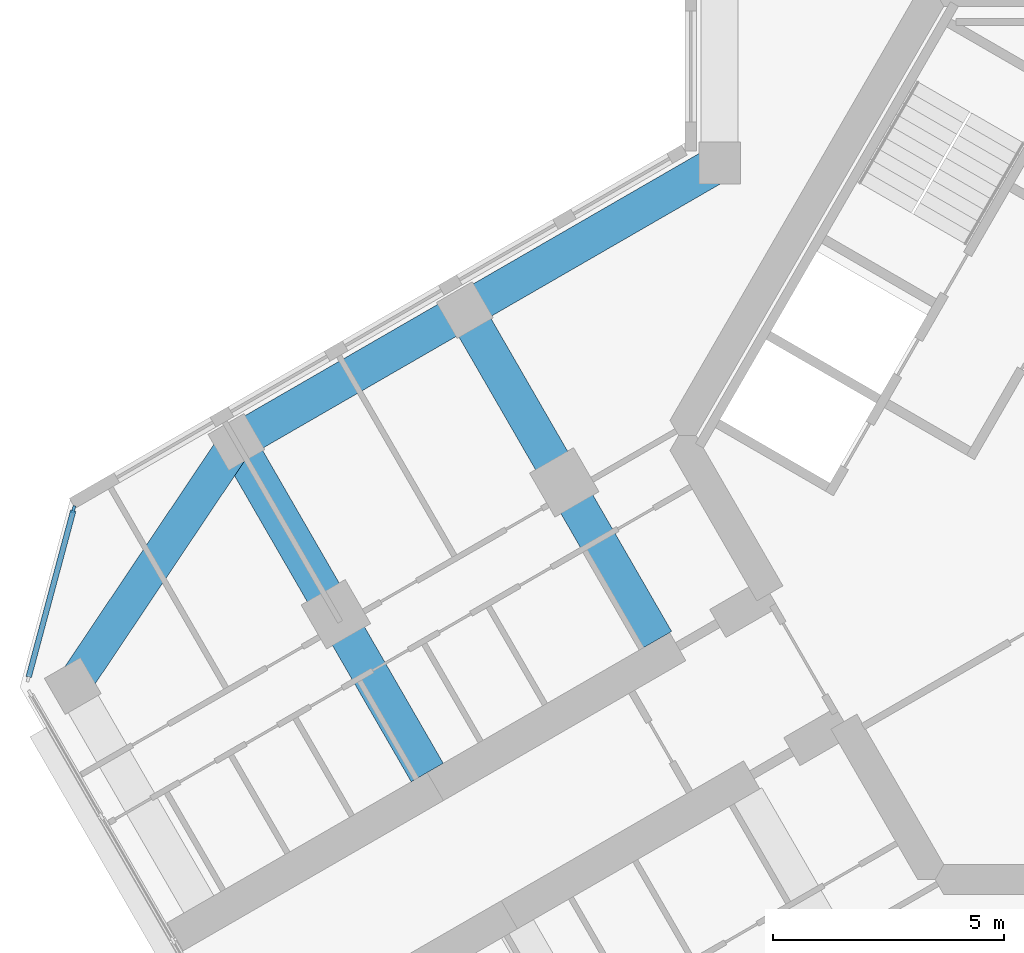
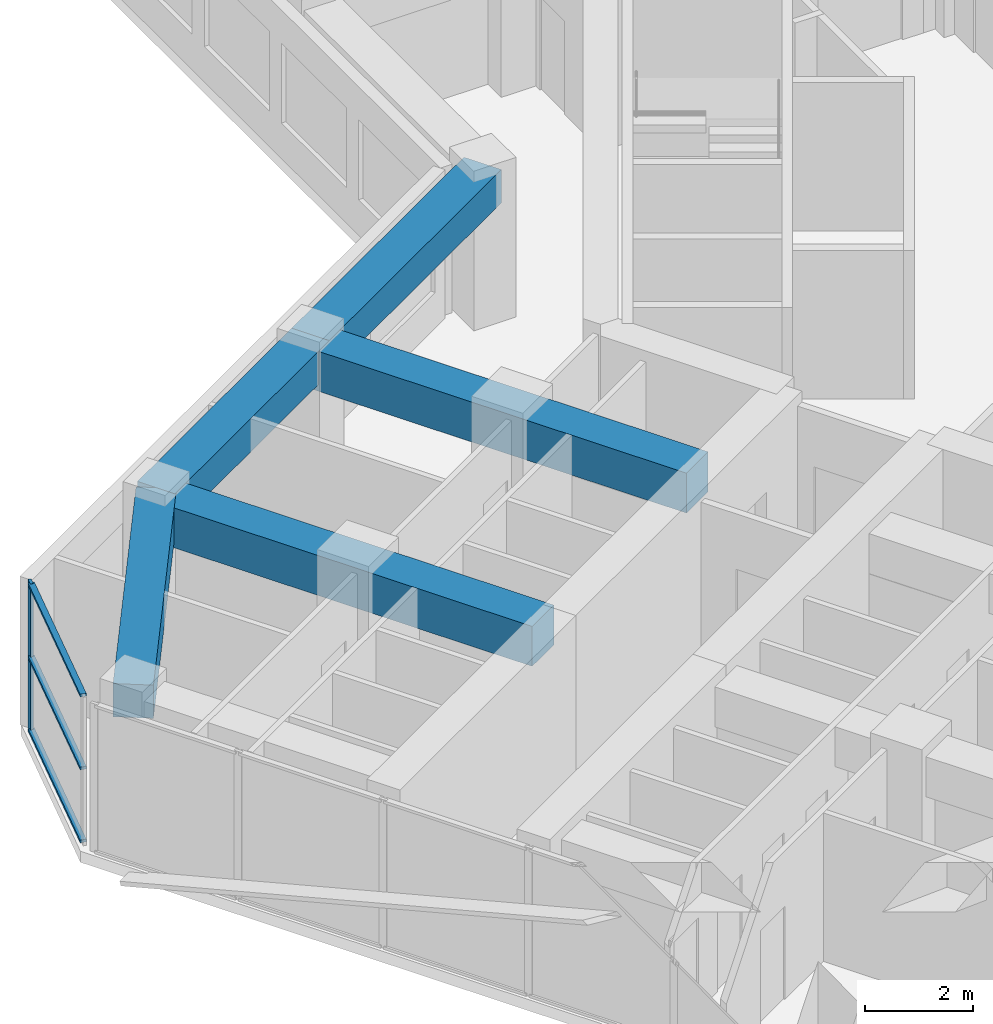
# One storey, part 3 of 16: 5 beams, 4 members, 1 element without a shape of its own.
"""IFC4 building model written with IfcOpenShell, lengths in metres."""

from ifc_helpers import new_model, si_unit, direction, frame, origin, origin_2d, place, context, subcontext, project, spatial, rectangle, extrude, material, material_profile, profile_set, type_object, element, aggregate, save


model = new_model("IFC4")

# Units and contexts
model_context = context("Model", 3, precision=1e-05, world=origin(), true_north=direction((0.0, 1.0)))
body_context = subcontext(model_context, "Body", "Model", "MODEL_VIEW")
ifc_project = project(units=[si_unit("LENGTHUNIT", "METRE"), si_unit("AREAUNIT", "SQUARE_METRE"), si_unit("VOLUMEUNIT", "CUBIC_METRE"), si_unit("PLANEANGLEUNIT", "RADIAN"), si_unit("MASSUNIT", "GRAM", prefix="KILO")], contexts=[model_context])

# Site, building, storey
site_placement = place(None, origin())
site = spatial("IfcSite", under=ifc_project, at=site_placement, CompositionType="ELEMENT")
building_placement = place(site_placement, origin())
building = spatial("IfcBuilding", under=site, at=building_placement, Name="Kosmar Iwan School Tower", CompositionType="ELEMENT")
storey_placement = place(building_placement, frame((0.0, 0.0, 222.60009765625)))
storey = spatial("IfcBuildingStorey", under=building, at=storey_placement, Name="L56", CompositionType="ELEMENT", Elevation=222.60009765625)

# Curtain wall, member
ifc_material_1 = material(Name="Dark glass in black aluminium frame", Category="aluminium")
curtain_wall_type = type_object("IfcCurtainWallType", Name="Chamfer curtain wall dark glass", PredefinedType="USERDEFINED", material=ifc_material_1)
curtain_wall_placement = place(storey_placement, origin())
curtain_wall = element("IfcCurtainWall", 1, at=curtain_wall_placement, inside=storey, type_object=curtain_wall_type, Name="Curtain wall L56-F10", ObjectType="FACETED CURTAIN WALL", PredefinedType="USERDEFINED")
ifc_material_2 = material(Name="Black anodised aluminium", Category="aluminium")
ifc_material_profile_1 = material_profile(ifc_material_2, rectangle(XDim=0.06005859375, YDim=0.159912109375, at=origin_2d()), Name="MULLION 60x160")
ifc_profile_set_1 = profile_set([ifc_material_profile_1], Name="Black anodised aluminium")
member_type_1 = type_object("IfcMemberType", Name="Mullion 60x160", PredefinedType="MULLION", material=ifc_profile_set_1)
member_1_placement = place(storey_placement, frame((-24.163818359375, -1.59814453125, 0.0), z_axis=(0.0, 0.0, 1.0), x_axis=(0.965925875495, -0.258818861462, 0.0)))
member_1 = element("IfcMember", 2, at=member_1_placement, type_object=member_type_1, Name="CW2 mullion 1", PredefinedType="MULLION", context=body_context, shape_type="SweptSolid", body=[
    extrude(rectangle(XDim=0.06005859375, YDim=0.159912109375, at=origin_2d()), origin(), (0.0, 0.0, 1.0), 3.349853515625),
])

# Beams
ifc_material_3 = material(Name="Concrete C50/60", Category="concrete")
ifc_material_profile_2 = material_profile(ifc_material_3, rectangle(XDim=0.800048828125, YDim=0.75, at=origin_2d()), Name="RC 800x750")
ifc_profile_set_2 = profile_set([ifc_material_profile_2], Name="Concrete C50/60")
beam_type_1 = type_object("IfcBeamType", Name="RC edge beam 800x750", PredefinedType="BEAM", material=ifc_profile_set_2)
beam_1_placement = place(storey_placement, frame((-10.199951171875, 5.888916015625, 2.974853515625), z_axis=(-0.866030912664, -0.49999045822, 0.0), x_axis=(0.49999045822, -0.866030912664, 0.0)))
element("IfcBeam", 3, at=beam_1_placement, inside=storey, type_object=beam_type_1, Name="Edge beam BR1", PredefinedType="BEAM", context=body_context, shape_type="SweptSolid", body=[
    extrude(rectangle(XDim=0.800048828125, YDim=0.75, at=origin_2d()), origin(), (0.0, 0.0, 1.0), 6.36083984375),
])
beam_2_placement = place(storey_placement, frame((-15.708740234375, 2.70849609375, 2.974853515625), z_axis=(-0.866025820012, -0.499999279071, 0.0), x_axis=(0.499999279071, -0.866025820012, 0.0)))
element("IfcBeam", 4, at=beam_2_placement, inside=storey, type_object=beam_type_1, Name="Edge beam BR2", PredefinedType="BEAM", context=body_context, shape_type="SweptSolid", body=[
    extrude(rectangle(XDim=0.800048828125, YDim=0.75, at=origin_2d()), origin(), (0.0, 0.0, 1.0), 5.7001953125),
])
ifc_material_4 = material(Name="Concrete C50/60", Category="concrete")
ifc_material_profile_3 = material_profile(ifc_material_4, rectangle(XDim=0.75, YDim=0.75, at=origin_2d()), Name="RC 750x750")
ifc_profile_set_3 = profile_set([ifc_material_profile_3], Name="Concrete C50/60")
beam_type_2 = type_object("IfcBeamType", Name="RC tip beam 750x750", PredefinedType="BEAM", material=ifc_profile_set_3)
beam_3_placement = place(storey_placement, frame((-20.645263671875, -0.1416015625, 2.974853515625), z_axis=(-0.556827604145, -0.83062808721, 0.0), x_axis=(0.83062808721, -0.556827604145, 0.0)))
element("IfcBeam", 5, at=beam_3_placement, inside=storey, type_object=beam_type_2, Name="Tip beam BR", PredefinedType="BEAM", context=body_context, shape_type="SweptSolid", body=[
    extrude(rectangle(XDim=0.75, YDim=0.75, at=origin_2d()), origin(), (0.0, 0.0, 1.0), 6.3505859375),
])
ifc_material_5 = material(Name="Concrete C50/60", Category="concrete")
ifc_material_profile_4 = material_profile(ifc_material_5, rectangle(XDim=0.800048828125, YDim=0.89990234375, at=origin_2d()), Name="RC 800x900")
ifc_profile_set_4 = profile_set([ifc_material_profile_4], Name="Concrete C50/60")
beam_type_3 = type_object("IfcBeamType", Name="RC transverse beam 800x900", PredefinedType="BEAM", material=ifc_profile_set_4)
beam_4_placement = place(storey_placement, frame((-15.708740234375, 2.70849609375, 2.89990234375), z_axis=(0.499996545922, -0.866027397988, 0.0), x_axis=(0.866027397988, 0.499996545922, 0.0)))
element("IfcBeam", 6, at=beam_4_placement, inside=storey, type_object=beam_type_3, Name="Transverse beam BR1", PredefinedType="BEAM", context=body_context, shape_type="SweptSolid", body=[
    extrude(rectangle(XDim=0.800048828125, YDim=0.89990234375, at=origin_2d()), origin(), (0.0, 0.0, 1.0), 8.25),
])
beam_5_placement = place(storey_placement, frame((-20.645263671875, -0.1416015625, 2.89990234375), z_axis=(0.500009360108, -0.866019999656, 0.0), x_axis=(0.866019999656, 0.500009360108, 0.0)))
element("IfcBeam", 7, at=beam_5_placement, inside=storey, type_object=beam_type_3, Name="Transverse beam BR2", PredefinedType="BEAM", context=body_context, shape_type="SweptSolid", body=[
    extrude(rectangle(XDim=0.800048828125, YDim=0.89990234375, at=origin_2d()), origin(), (0.0, 0.0, 1.0), 8.249755859375),
])

# Member
ifc_material_6 = material(Name="Black anodised aluminium", Category="aluminium")
ifc_material_profile_5 = material_profile(ifc_material_6, rectangle(XDim=0.1201171875, YDim=0.06005859375, at=origin_2d()), Name="TRANSOM 60x120")
ifc_profile_set_5 = profile_set([ifc_material_profile_5], Name="Black anodised aluminium")
member_type_2 = type_object("IfcMemberType", Name="Transom 60x120", PredefinedType="USERDEFINED", material=ifc_profile_set_5)
member_2_placement = place(storey_placement, frame((-24.17138671875, -1.627197265625, 0.02978515625), z_axis=(-0.258843273983, -0.965919333854, 0.0), x_axis=(0.965919333854, -0.258843273983, 0.0)))
member_2 = element("IfcMember", 8, at=member_2_placement, type_object=member_type_2, Name="CW2 transom 1.1", ObjectType="TRANSOM", PredefinedType="USERDEFINED", context=body_context, shape_type="SweptSolid", body=[
    extrude(rectangle(XDim=0.1201171875, YDim=0.06005859375, at=origin_2d()), origin(), (0.0, 0.0, 1.0), 3.718994140625),
])

member_3_placement = place(storey_placement, frame((-24.17138671875, -1.627197265625, 1.6748046875), z_axis=(-0.258843273983, -0.965919333854, 0.0), x_axis=(0.965919333854, -0.258843273983, 0.0)))
member_3 = element("IfcMember", 9, at=member_3_placement, type_object=member_type_2, Name="CW2 transom 1.2", ObjectType="TRANSOM", PredefinedType="USERDEFINED", context=body_context, shape_type="SweptSolid", body=[
    extrude(rectangle(XDim=0.1201171875, YDim=0.06005859375, at=origin_2d()), origin(), (0.0, 0.0, 1.0), 3.718994140625),
])

member_4_placement = place(storey_placement, frame((-24.17138671875, -1.627197265625, 3.31982421875), z_axis=(-0.258843273983, -0.965919333854, 0.0), x_axis=(0.965919333854, -0.258843273983, 0.0)))
member_4 = element("IfcMember", 10, at=member_4_placement, type_object=member_type_2, Name="CW2 transom 1.3", ObjectType="TRANSOM", PredefinedType="USERDEFINED", context=body_context, shape_type="SweptSolid", body=[
    extrude(rectangle(XDim=0.1201171875, YDim=0.06005859375, at=origin_2d()), origin(), (0.0, 0.0, 1.0), 3.718994140625),
])

aggregate(curtain_wall, [member_1, member_2, member_3, member_4])

save(model, "model.ifc")
